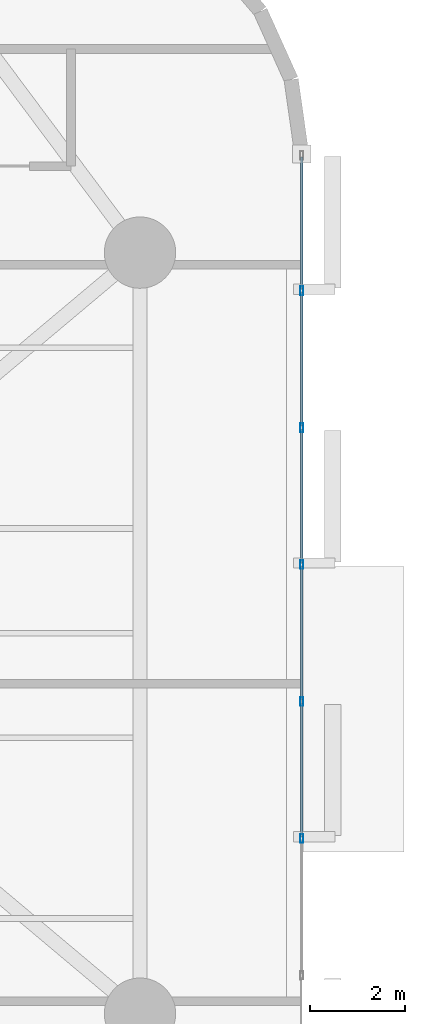
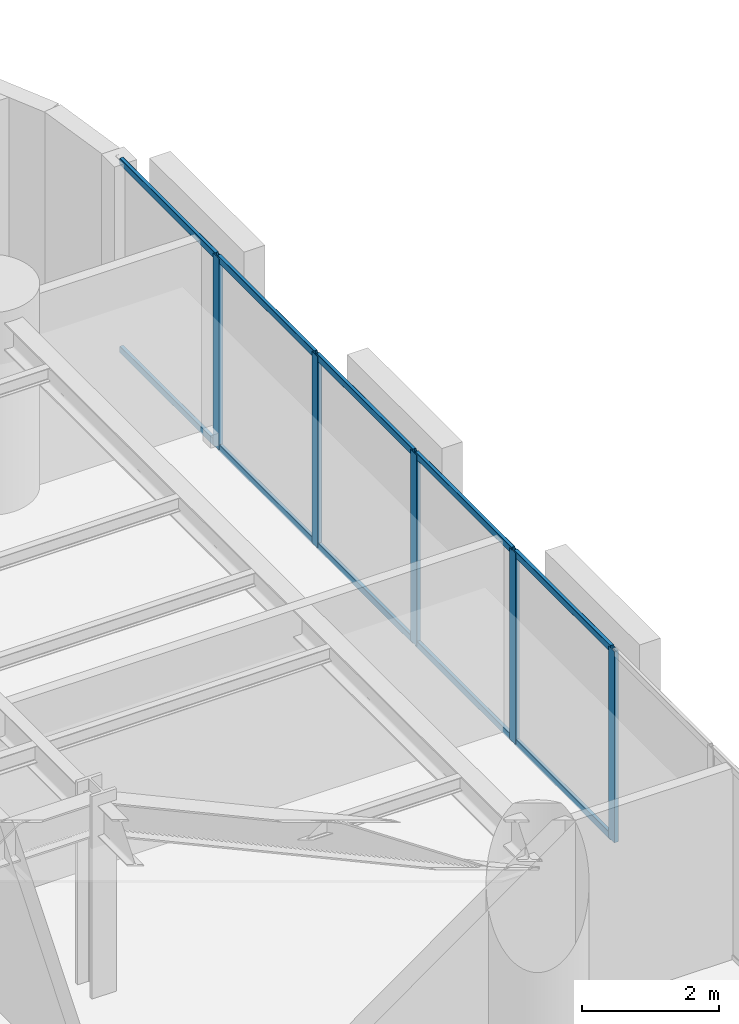
# One storey, part 6 of 16: 15 members, 1 element without a shape of its own.
"""IFC4 building model written with IfcOpenShell, lengths in metres."""

import ifcopenshell
import ifcopenshell.guid

model = None  # the IFC model being written
_history = None  # IfcOwnerHistory: only IFC2X3 demands one
_inside = {}  # id of a spatial element -> (the spatial element, [elements in it])
_under = {}  # id of a project, library or spatial element -> (it, [spatial elements below it])
_declared = {}  # id of a project -> (the project, [libraries it declares])
_typed = {}  # id of a type object -> (the type object, [elements of that type])
_made_of = {}  # id of a material, layer set ... -> (it, [elements and type objects made of it])


def new_model(schema):
    """Start an empty IFC model of exactly this schema.

    Asked for "IFC4X3", IfcOpenShell would pick the latest addendum, in which some entities
    have other attributes; the version numbers below select the first issue.
    IFC2X3 requires an IfcOwnerHistory on every rooted entity: one is made here for all.
    """
    global model, _history
    if schema == "IFC4X3":
        model = ifcopenshell.file(schema_version=(4, 3, 0, 0))
    else:
        model = ifcopenshell.file(schema=schema)
    _inside.clear()
    _under.clear()
    _declared.clear()
    _typed.clear()
    _made_of.clear()
    _history = None
    if model.schema == "IFC2X3":
        org = make("IfcOrganization", Name="unknown")
        user = make(
            "IfcPersonAndOrganization",
            ThePerson=make("IfcPerson", FamilyName="unknown"),
            TheOrganization=org,
        )
        app = make(
            "IfcApplication",
            ApplicationDeveloper=org,
            Version="unknown",
            ApplicationFullName="unknown",
            ApplicationIdentifier="unknown",
        )
        _history = make(
            "IfcOwnerHistory",
            OwningUser=user,
            OwningApplication=app,
            ChangeAction="ADDED",
            CreationDate=0,
        )
    return model


def make(cls, **values):
    """One entity of the class cls with the attributes given. An attribute that is None is left unset."""
    return model.create_entity(
        cls, **{name: value for name, value in values.items() if value is not None}
    )


def rooted(cls, **values):
    """An entity with a GlobalId (a new one), such as an element, a storey or a relation."""
    return make(cls, GlobalId=ifcopenshell.guid.new(), OwnerHistory=_history, **values)


def si_unit(unit_type, name, prefix=None):
    """IfcSIUnit, for example si_unit("LENGTHUNIT", "METRE", prefix="MILLI")."""
    return make("IfcSIUnit", UnitType=unit_type, Prefix=prefix, Name=name)


def assignment(units):
    """IfcUnitAssignment: the units of a project."""
    return None if units is None else make("IfcUnitAssignment", Units=units)


def point(xyz):
    """IfcCartesianPoint."""
    return None if xyz is None else make("IfcCartesianPoint", Coordinates=xyz)


def direction(xyz):
    """IfcDirection."""
    return None if xyz is None else make("IfcDirection", DirectionRatios=xyz)


def frame(location, z_axis=None, x_axis=None):
    """IfcAxis2Placement3D, a coordinate frame: its origin and axes. An axis left out is left unset."""
    return make(
        "IfcAxis2Placement3D",
        Location=point(location),
        Axis=direction(z_axis),
        RefDirection=direction(x_axis),
    )


def frame_2d(location, x_axis=None):
    """IfcAxis2Placement2D, a coordinate frame in the plane: its origin and x axis."""
    return make(
        "IfcAxis2Placement2D", Location=point(location), RefDirection=direction(x_axis)
    )


def origin():
    """The frame at (0, 0, 0) with its axes left unset."""
    return frame((0.0, 0.0, 0.0))


def origin_2d():
    """The frame at (0, 0) in the plane with its x axis left unset."""
    return frame_2d((0.0, 0.0))


def place(relative_to, where):
    """IfcLocalPlacement: puts the frame where relative to a parent placement (None: the world)."""
    return make(
        "IfcLocalPlacement", PlacementRelTo=relative_to, RelativePlacement=where
    )


def context(
    kind, dimensions, precision=None, world=None, true_north=None, identifier=None
):
    """IfcGeometricRepresentationContext, for example the 3D "Model" context."""
    return make(
        "IfcGeometricRepresentationContext",
        ContextIdentifier=identifier,
        ContextType=kind,
        CoordinateSpaceDimension=dimensions,
        Precision=precision,
        WorldCoordinateSystem=world,
        TrueNorth=true_north,
    )


def subcontext(parent, identifier, kind, view, scale=None):
    """IfcGeometricRepresentationSubContext, for example "Body" below "Model"."""
    return make(
        "IfcGeometricRepresentationSubContext",
        ContextIdentifier=identifier,
        ContextType=kind,
        ParentContext=parent,
        TargetScale=scale,
        TargetView=view,
    )


def project(units=None, contexts=None):
    """IfcProject with its units and contexts."""
    return rooted(
        "IfcProject",
        Name="project",
        RepresentationContexts=contexts,
        UnitsInContext=assignment(units),
    )


def spatial(cls, under=None, at=None, **own):
    """A site, building, storey or space (cls), placed at a placement, below another one or the project."""
    s = rooted(cls, ObjectPlacement=at, **own)
    if under is not None:
        _under.setdefault(under.id(), (under, []))[1].append(s)
    return s


def profile(cls, at=None, kind="AREA", **sizes):
    """A parametric profile (cls). Its sizes go by their IFC names, for example OverallWidth=200.0."""
    return make(cls, ProfileType=kind, Position=at, **sizes)


def hollow_rectangle(**sizes):
    """IfcRectangleHollowProfileDef."""
    return profile("IfcRectangleHollowProfileDef", **sizes)


def extrude(swept, where, along, depth):
    """IfcExtrudedAreaSolid: the profile swept, set in the frame where, extruded along a direction by depth."""
    return make(
        "IfcExtrudedAreaSolid",
        SweptArea=swept,
        Position=where,
        ExtrudedDirection=direction(along),
        Depth=depth,
    )


def shape(context_of_items, identifier, shape_type, items):
    """IfcShapeRepresentation: the items that make up one representation, for example the "Body"."""
    return make(
        "IfcShapeRepresentation",
        ContextOfItems=context_of_items,
        RepresentationIdentifier=identifier,
        RepresentationType=shape_type,
        Items=items,
    )


def material(Name=None, Category=None):
    """IfcMaterial."""
    return make("IfcMaterial", Name=Name, Category=Category)


def layer(
    of_material, thickness, ventilated=None, Name=None, Category=None, Priority=None
):
    """IfcMaterialLayer: one layer of a wall or slab, of a material (None: an air gap)."""
    return make(
        "IfcMaterialLayer",
        Material=of_material,
        LayerThickness=thickness,
        IsVentilated=ventilated,
        Name=Name,
        Category=Category,
        Priority=Priority,
    )


def layer_set(layers, Name=None):
    """IfcMaterialLayerSet."""
    return make("IfcMaterialLayerSet", MaterialLayers=layers, LayerSetName=Name)


def material_profile(
    of_material, cross_section, Name=None, Category=None, Priority=None
):
    """IfcMaterialProfile: a cross section and its material."""
    return make(
        "IfcMaterialProfile",
        Name=Name,
        Material=of_material,
        Profile=cross_section,
        Priority=Priority,
        Category=Category,
    )


def profile_set(profiles, Name=None, composite=None):
    """IfcMaterialProfileSet."""
    return make(
        "IfcMaterialProfileSet",
        Name=Name,
        MaterialProfiles=profiles,
        CompositeProfile=composite,
    )


def made_of(thing, what):
    """Note that an element or type object is made of a material, layer set ...; save() writes the relation."""
    if what is not None:
        _made_of.setdefault(what.id(), (what, []))[1].append(thing)
    return thing


def type_object(cls, material=None, **own):
    """A type object (cls), such as IfcWallType, which elements share."""
    return made_of(rooted(cls, **own), material)


def element(
    cls,
    number,
    at=None,
    inside=None,
    cuts=None,
    type_object=None,
    material=None,
    context=None,
    identifier="Body",
    shape_type=None,
    held_by="IfcProductDefinitionShape",
    body=None,
    shapes=None,
    **own,
):
    """One element of the class cls, such as IfcWall. Its Tag is "e" and its number.

    at: its placement. inside: the storey or other place that contains it. cuts: it is an
    opening in that element (IfcRelVoidsElement). A single representation is given by context,
    identifier, shape_type and body (its items); several are given by shapes. held_by: the class
    of the entity that holds the representations. save() writes the other relations.
    """
    e = rooted(cls, Tag="e%d" % number, ObjectPlacement=at, **own)
    if body is not None:
        shapes = [shape(context, identifier, shape_type, body)]
    if shapes is not None:
        e.Representation = make(held_by, Representations=shapes)
    if inside is not None:
        _inside.setdefault(inside.id(), (inside, []))[1].append(e)
    if cuts is not None:
        rooted(
            "IfcRelVoidsElement", RelatingBuildingElement=cuts, RelatedOpeningElement=e
        )
    if type_object is not None:
        _typed.setdefault(type_object.id(), (type_object, []))[1].append(e)
    return made_of(e, material)


def aggregate(whole, parts):
    """IfcRelAggregates: a whole, such as a stair, and the parts it consists of."""
    return rooted("IfcRelAggregates", RelatingObject=whole, RelatedObjects=parts)


def save(model, path):
    """Write the relations noted so far, then the file.

    IfcRelAggregates (storeys below a building ...), IfcRelContainedInSpatialStructure (elements
    in a storey), IfcRelDefinesByType, IfcRelAssociatesMaterial and IfcRelDeclares: one each for
    every whole, place, type object, material and project.
    """
    for whole, parts in _under.values():
        aggregate(whole, parts)
    for where, things in _inside.values():
        rooted(
            "IfcRelContainedInSpatialStructure",
            RelatedElements=things,
            RelatingStructure=where,
        )
    for kind, things in _typed.values():
        rooted("IfcRelDefinesByType", RelatedObjects=things, RelatingType=kind)
    for what, things in _made_of.values():
        rooted("IfcRelAssociatesMaterial", RelatedObjects=things, RelatingMaterial=what)
    for by, libraries in _declared.values():
        rooted("IfcRelDeclares", RelatingContext=by, RelatedDefinitions=libraries)
    model.write(path)


model = new_model("IFC4")

# Units and contexts
model_context = context("Model", 3, precision=1e-05, world=origin(), true_north=direction((0.0, 1.0)))
body_context = subcontext(model_context, "Body", "Model", "MODEL_VIEW")
ifc_project = project(units=[si_unit("LENGTHUNIT", "METRE"), si_unit("AREAUNIT", "SQUARE_METRE"), si_unit("VOLUMEUNIT", "CUBIC_METRE"), si_unit("PLANEANGLEUNIT", "RADIAN"), si_unit("MASSUNIT", "GRAM", prefix="KILO")], contexts=[model_context])

# Site, building, storey
site_placement = place(None, origin())
site = spatial("IfcSite", under=ifc_project, at=site_placement, CompositionType="ELEMENT")
building_placement = place(site_placement, origin())
building = spatial("IfcBuilding", under=site, at=building_placement, Name="An Khanh Terracotta Commons", CompositionType="ELEMENT")
storey_placement = place(building_placement, frame((0.0, 0.0, 39.60009765625)))
storey = spatial("IfcBuildingStorey", under=building, at=storey_placement, Name="L10", CompositionType="ELEMENT", Elevation=39.60009765625)

# Curtain wall, members
ifc_material = material(Name="Anodised Aluminium 6063-T6", Category="aluminium")
ifc_layer = layer(ifc_material, 0.199951171875, Name="Anodised Aluminium 6063-T6")
ifc_layer_set = layer_set([ifc_layer], Name="Anodised Aluminium 6063-T6")
curtain_wall_type = type_object("IfcCurtainWallType", Name="CW-SYS-02", PredefinedType="USERDEFINED", material=ifc_layer_set)
curtain_wall_placement = place(storey_placement, origin())
curtain_wall = element("IfcCurtainWall", 1, at=curtain_wall_placement, inside=storey, type_object=curtain_wall_type, Name="L10 CW-02 Unitised Curtain Wall CW-L10-12", ObjectType="UNITISED CURTAIN WALL", PredefinedType="USERDEFINED")
ifc_material_profile_1 = material_profile(ifc_material, hollow_rectangle(XDim=0.070068359375, YDim=0.179931640625, WallThickness=0.00390625, InnerFilletRadius=0.00390625, OuterFilletRadius=0.008056640625, at=origin_2d()), Name="RHS180x70x4")
ifc_profile_set_1 = profile_set([ifc_material_profile_1], Name="Anodised Aluminium 6063-T6")
member_type_1 = type_object("IfcMemberType", Name="CWM-RHS180x70x4", PredefinedType="MULLION", material=ifc_profile_set_1)
member_1_placement = place(storey_placement, frame((51.60009765625, 19.681396484375, 0.0), z_axis=(0.0, 0.0, 1.0), x_axis=(-1.0, 0.0, 0.0)))
member_1 = element("IfcMember", 2, at=member_1_placement, type_object=member_type_1, Name="CW-02 mullion 3", PredefinedType="MULLION", context=body_context, shape_type="SweptSolid", body=[
    extrude(hollow_rectangle(XDim=0.070068359375, YDim=0.179931640625, WallThickness=0.00390625, InnerFilletRadius=0.00390625, OuterFilletRadius=0.008056640625, at=origin_2d()), origin(), (0.0, 0.0, 1.0), 3.39990234375),
])
member_2_placement = place(storey_placement, frame((51.60009765625, 22.560546875, 0.0), z_axis=(0.0, 0.0, 1.0), x_axis=(-1.0, 0.0, 0.0)))
member_2 = element("IfcMember", 3, at=member_2_placement, type_object=member_type_1, Name="CW-02 mullion 4", PredefinedType="MULLION", context=body_context, shape_type="SweptSolid", body=[
    extrude(hollow_rectangle(XDim=0.070068359375, YDim=0.179931640625, WallThickness=0.00390625, InnerFilletRadius=0.00390625, OuterFilletRadius=0.008056640625, at=origin_2d()), origin(), (0.0, 0.0, 1.0), 3.39990234375),
])
member_3_placement = place(storey_placement, frame((51.60009765625, 25.439453125, 0.0), z_axis=(0.0, 0.0, 1.0), x_axis=(-1.0, 0.0, 0.0)))
member_3 = element("IfcMember", 4, at=member_3_placement, type_object=member_type_1, Name="CW-02 mullion 5", PredefinedType="MULLION", context=body_context, shape_type="SweptSolid", body=[
    extrude(hollow_rectangle(XDim=0.070068359375, YDim=0.179931640625, WallThickness=0.00390625, InnerFilletRadius=0.00390625, OuterFilletRadius=0.008056640625, at=origin_2d()), origin(), (0.0, 0.0, 1.0), 3.39990234375),
])
member_4_placement = place(storey_placement, frame((51.60009765625, 28.318603515625, 0.0), z_axis=(0.0, 0.0, 1.0), x_axis=(-1.0, 0.0, 0.0)))
member_4 = element("IfcMember", 5, at=member_4_placement, type_object=member_type_1, Name="CW-02 mullion 6", PredefinedType="MULLION", context=body_context, shape_type="SweptSolid", body=[
    extrude(hollow_rectangle(XDim=0.070068359375, YDim=0.179931640625, WallThickness=0.00390625, InnerFilletRadius=0.00390625, OuterFilletRadius=0.008056640625, at=origin_2d()), origin(), (0.0, 0.0, 1.0), 3.39990234375),
])
member_5_placement = place(storey_placement, frame((51.60009765625, 31.19775390625, 0.0), z_axis=(0.0, 0.0, 1.0), x_axis=(-1.0, 0.0, 0.0)))
member_5 = element("IfcMember", 6, at=member_5_placement, type_object=member_type_1, Name="CW-02 mullion 7", PredefinedType="MULLION", context=body_context, shape_type="SweptSolid", body=[
    extrude(hollow_rectangle(XDim=0.070068359375, YDim=0.179931640625, WallThickness=0.00390625, InnerFilletRadius=0.00390625, OuterFilletRadius=0.008056640625, at=origin_2d()), origin(), (0.0, 0.0, 1.0), 3.39990234375),
])
ifc_material_profile_2 = material_profile(ifc_material, hollow_rectangle(XDim=0.06005859375, YDim=0.1201171875, WallThickness=0.003662109375, InnerFilletRadius=0.003662109375, OuterFilletRadius=0.007080078125, at=origin_2d()), Name="RHS120x60x3.6")
ifc_profile_set_2 = profile_set([ifc_material_profile_2], Name="Anodised Aluminium 6063-T6")
member_type_2 = type_object("IfcMemberType", Name="CWT-RHS120x60x3.6", PredefinedType="USERDEFINED", material=ifc_profile_set_2)
member_6_placement = place(storey_placement, frame((51.60009765625, 19.71630859375, 0.02978515625), z_axis=(0.0, 1.0, 0.0), x_axis=(-1.0, 0.0, 0.0)))
member_6 = element("IfcMember", 7, at=member_6_placement, type_object=member_type_2, Name="CW-02 transom 3.1", ObjectType="TRANSOM", PredefinedType="USERDEFINED", context=body_context, shape_type="SweptSolid", body=[
    extrude(hollow_rectangle(XDim=0.06005859375, YDim=0.1201171875, WallThickness=0.003662109375, InnerFilletRadius=0.003662109375, OuterFilletRadius=0.007080078125, at=origin_2d()), origin(), (0.0, 0.0, 1.0), 2.80908203125),
])
member_7_placement = place(storey_placement, frame((51.60009765625, 19.71630859375, 3.369873046875), z_axis=(0.0, 1.0, 0.0), x_axis=(-1.0, 0.0, 0.0)))
member_7 = element("IfcMember", 8, at=member_7_placement, type_object=member_type_2, Name="CW-02 transom 3.2", ObjectType="TRANSOM", PredefinedType="USERDEFINED", context=body_context, shape_type="SweptSolid", body=[
    extrude(hollow_rectangle(XDim=0.06005859375, YDim=0.1201171875, WallThickness=0.003662109375, InnerFilletRadius=0.003662109375, OuterFilletRadius=0.007080078125, at=origin_2d()), origin(), (0.0, 0.0, 1.0), 2.80908203125),
])
member_8_placement = place(storey_placement, frame((51.60009765625, 22.595458984375, 0.02978515625), z_axis=(0.0, 1.0, 0.0), x_axis=(-1.0, 0.0, 0.0)))
member_8 = element("IfcMember", 9, at=member_8_placement, type_object=member_type_2, Name="CW-02 transom 4.1", ObjectType="TRANSOM", PredefinedType="USERDEFINED", context=body_context, shape_type="SweptSolid", body=[
    extrude(hollow_rectangle(XDim=0.06005859375, YDim=0.1201171875, WallThickness=0.003662109375, InnerFilletRadius=0.003662109375, OuterFilletRadius=0.007080078125, at=origin_2d()), origin(), (0.0, 0.0, 1.0), 2.80908203125),
])
member_9_placement = place(storey_placement, frame((51.60009765625, 22.595458984375, 3.369873046875), z_axis=(0.0, 1.0, 0.0), x_axis=(-1.0, 0.0, 0.0)))
member_9 = element("IfcMember", 10, at=member_9_placement, type_object=member_type_2, Name="CW-02 transom 4.2", ObjectType="TRANSOM", PredefinedType="USERDEFINED", context=body_context, shape_type="SweptSolid", body=[
    extrude(hollow_rectangle(XDim=0.06005859375, YDim=0.1201171875, WallThickness=0.003662109375, InnerFilletRadius=0.003662109375, OuterFilletRadius=0.007080078125, at=origin_2d()), origin(), (0.0, 0.0, 1.0), 2.80908203125),
])
member_10_placement = place(storey_placement, frame((51.60009765625, 25.474609375, 0.02978515625), z_axis=(0.0, 1.0, 0.0), x_axis=(-1.0, 0.0, 0.0)))
member_10 = element("IfcMember", 11, at=member_10_placement, type_object=member_type_2, Name="CW-02 transom 5.1", ObjectType="TRANSOM", PredefinedType="USERDEFINED", context=body_context, shape_type="SweptSolid", body=[
    extrude(hollow_rectangle(XDim=0.06005859375, YDim=0.1201171875, WallThickness=0.003662109375, InnerFilletRadius=0.003662109375, OuterFilletRadius=0.007080078125, at=origin_2d()), origin(), (0.0, 0.0, 1.0), 2.80908203125),
])
member_11_placement = place(storey_placement, frame((51.60009765625, 25.474609375, 3.369873046875), z_axis=(0.0, 1.0, 0.0), x_axis=(-1.0, 0.0, 0.0)))
member_11 = element("IfcMember", 12, at=member_11_placement, type_object=member_type_2, Name="CW-02 transom 5.2", ObjectType="TRANSOM", PredefinedType="USERDEFINED", context=body_context, shape_type="SweptSolid", body=[
    extrude(hollow_rectangle(XDim=0.06005859375, YDim=0.1201171875, WallThickness=0.003662109375, InnerFilletRadius=0.003662109375, OuterFilletRadius=0.007080078125, at=origin_2d()), origin(), (0.0, 0.0, 1.0), 2.80908203125),
])
member_12_placement = place(storey_placement, frame((51.60009765625, 28.353759765625, 0.02978515625), z_axis=(0.0, 1.0, 0.0), x_axis=(-1.0, 0.0, 0.0)))
member_12 = element("IfcMember", 13, at=member_12_placement, type_object=member_type_2, Name="CW-02 transom 6.1", ObjectType="TRANSOM", PredefinedType="USERDEFINED", context=body_context, shape_type="SweptSolid", body=[
    extrude(hollow_rectangle(XDim=0.06005859375, YDim=0.1201171875, WallThickness=0.003662109375, InnerFilletRadius=0.003662109375, OuterFilletRadius=0.007080078125, at=origin_2d()), origin(), (0.0, 0.0, 1.0), 2.80908203125),
])
member_13_placement = place(storey_placement, frame((51.60009765625, 28.353759765625, 3.369873046875), z_axis=(0.0, 1.0, 0.0), x_axis=(-1.0, 0.0, 0.0)))
member_13 = element("IfcMember", 14, at=member_13_placement, type_object=member_type_2, Name="CW-02 transom 6.2", ObjectType="TRANSOM", PredefinedType="USERDEFINED", context=body_context, shape_type="SweptSolid", body=[
    extrude(hollow_rectangle(XDim=0.06005859375, YDim=0.1201171875, WallThickness=0.003662109375, InnerFilletRadius=0.003662109375, OuterFilletRadius=0.007080078125, at=origin_2d()), origin(), (0.0, 0.0, 1.0), 2.80908203125),
])
member_14_placement = place(storey_placement, frame((51.60009765625, 31.23291015625, 0.02978515625), z_axis=(0.0, 1.0, 0.0), x_axis=(-1.0, 0.0, 0.0)))
member_14 = element("IfcMember", 15, at=member_14_placement, type_object=member_type_2, Name="CW-02 transom 7.1", ObjectType="TRANSOM", PredefinedType="USERDEFINED", context=body_context, shape_type="SweptSolid", body=[
    extrude(hollow_rectangle(XDim=0.06005859375, YDim=0.1201171875, WallThickness=0.003662109375, InnerFilletRadius=0.003662109375, OuterFilletRadius=0.007080078125, at=origin_2d()), origin(), (0.0, 0.0, 1.0), 2.774169921875),
])
member_15_placement = place(storey_placement, frame((51.60009765625, 31.23291015625, 3.369873046875), z_axis=(0.0, 1.0, 0.0), x_axis=(-1.0, 0.0, 0.0)))
member_15 = element("IfcMember", 16, at=member_15_placement, type_object=member_type_2, Name="CW-02 transom 7.2", ObjectType="TRANSOM", PredefinedType="USERDEFINED", context=body_context, shape_type="SweptSolid", body=[
    extrude(hollow_rectangle(XDim=0.06005859375, YDim=0.1201171875, WallThickness=0.003662109375, InnerFilletRadius=0.003662109375, OuterFilletRadius=0.007080078125, at=origin_2d()), origin(), (0.0, 0.0, 1.0), 2.774169921875),
])
aggregate(curtain_wall, [member_1, member_2, member_3, member_4, member_5, member_6, member_7, member_8, member_9, member_10, member_11, member_12, member_13, member_14, member_15])

save(model, "model.ifc")
